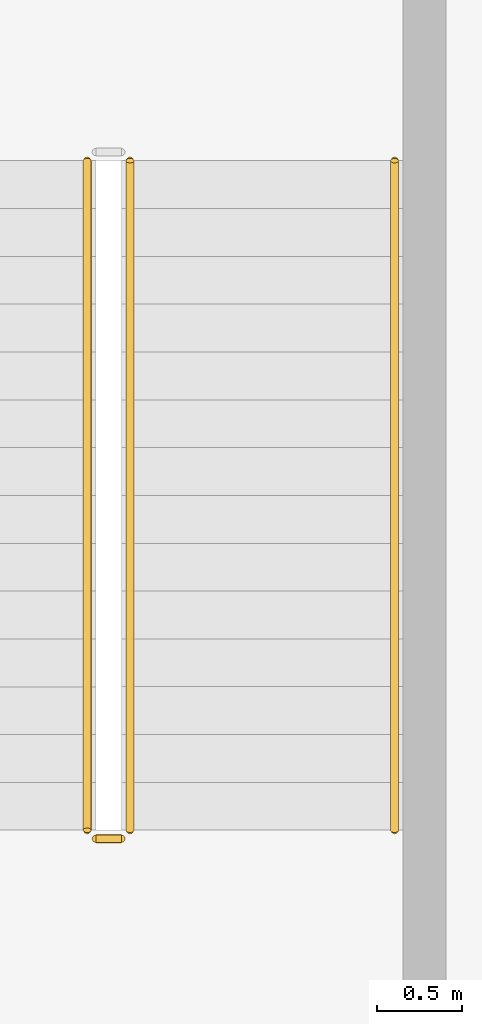
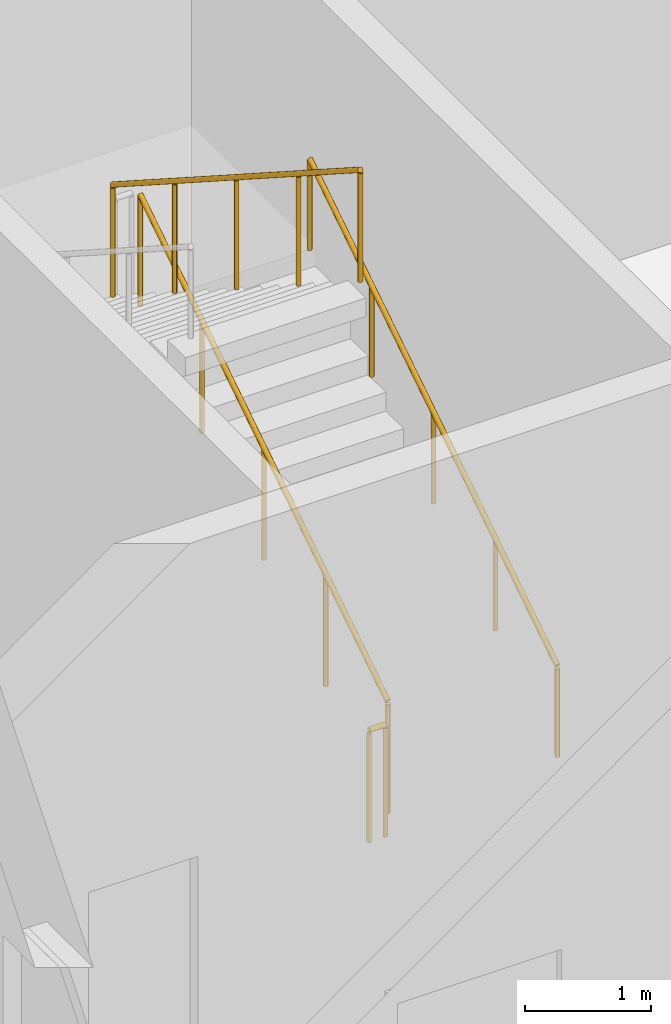
# One storey, part 11 of 18: 4 railings.
"""IFC4 building model written with IfcOpenShell, lengths in metres."""

from ifc_helpers import new_model, si_unit, direction, frame, origin, origin_2d, place, context, subcontext, project, spatial, circle, extrude, material, type_object, element, save


model = new_model("IFC4")

# Units and contexts
model_context = context("Model", 3, precision=1e-05, world=origin(), true_north=direction((0.0, 1.0)))
body_context = subcontext(model_context, "Body", "Model", "MODEL_VIEW")
ifc_project = project(units=[si_unit("LENGTHUNIT", "METRE"), si_unit("AREAUNIT", "SQUARE_METRE"), si_unit("VOLUMEUNIT", "CUBIC_METRE"), si_unit("PLANEANGLEUNIT", "RADIAN"), si_unit("MASSUNIT", "GRAM", prefix="KILO")], contexts=[model_context])

# Site, building, storey
site_placement = place(None, origin())
site = spatial("IfcSite", under=ifc_project, at=site_placement, CompositionType="ELEMENT")
building_placement = place(site_placement, origin())
building = spatial("IfcBuilding", under=site, at=building_placement, Name="Poui Terraces", CompositionType="ELEMENT")
storey_placement = place(building_placement, frame((0.0, 0.0, 267.0)))
storey = spatial("IfcBuildingStorey", under=building, at=storey_placement, Name="L74", CompositionType="ELEMENT", Elevation=267.0)

# Railings
ifc_material_1 = material(Name="Galvanised steel balustrade", Category="steel")
railing_type_1 = type_object("IfcRailingType", Name="STAIR GUARD 1100", PredefinedType="GUARDRAIL", material=ifc_material_1)
railing_1_placement = place(storey_placement, frame((22.875, 16.60009765625, 0.179931640625)))
element("IfcRailing", 1, at=railing_1_placement, inside=storey, type_object=railing_type_1, Name="L74 ST-W stair guard 1", PredefinedType="GUARDRAIL", context=body_context, shape_type="SweptSolid", body=[
    extrude(circle(Radius=0.02392578125, at=origin_2d()), frame((0.0, 0.0, 1.076171875), z_axis=(0.0, 0.841171666519, 0.540768182723), x_axis=(-1.0, 0.0, 0.0)), (0.0, 0.0, 1.0), 4.66015625),
    extrude(circle(Radius=0.02099609375, at=origin_2d()), origin(), (0.0, 0.0, 1.0), 1.052001953125),
    extrude(circle(Radius=0.02099609375, at=origin_2d()), frame((0.0, 0.97998046875, 0.6298828125)), (0.0, 0.0, 1.0), 1.052001953125),
    extrude(circle(Radius=0.02099609375, at=origin_2d()), frame((0.0, 1.9599609375, 1.260009765625)), (0.0, 0.0, 1.0), 1.052001953125),
    extrude(circle(Radius=0.02099609375, at=origin_2d()), frame((0.0, 2.93994140625, 1.89013671875)), (0.0, 0.0, 1.0), 1.052001953125),
    extrude(circle(Radius=0.02099609375, at=origin_2d()), frame((0.0, 3.919921875, 2.52001953125)), (0.0, 0.0, 1.0), 1.052001953125),
])
railing_2_placement = place(storey_placement, frame((22.625, 20.52001953125, 2.8798828125)))
element("IfcRailing", 2, at=railing_2_placement, inside=storey, type_object=railing_type_1, Name="L74 ST-W stair guard 3", PredefinedType="GUARDRAIL", context=body_context, shape_type="SweptSolid", body=[
    extrude(circle(Radius=0.02392578125, at=origin_2d()), frame((0.0, 0.0, 1.076171875), z_axis=(0.0, -0.841171666519, 0.540768182723), x_axis=(1.0, 0.0, 0.0)), (0.0, 0.0, 1.0), 4.66015625),
    extrude(circle(Radius=0.02099609375, at=origin_2d()), origin(), (0.0, 0.0, 1.0), 1.052001953125),
    extrude(circle(Radius=0.02099609375, at=origin_2d()), frame((0.0, -0.97998046875, 0.6298828125)), (0.0, 0.0, 1.0), 1.052001953125),
    extrude(circle(Radius=0.02099609375, at=origin_2d()), frame((0.0, -1.9599609375, 1.260009765625)), (0.0, 0.0, 1.0), 1.052001953125),
    extrude(circle(Radius=0.02099609375, at=origin_2d()), frame((0.0, -2.93994140625, 1.89013671875)), (0.0, 0.0, 1.0), 1.052001953125),
    extrude(circle(Radius=0.02099609375, at=origin_2d()), frame((0.0, -3.919921875, 2.52001953125)), (0.0, 0.0, 1.0), 1.052001953125),
])
railing_3_placement = place(storey_placement, frame((22.824951171875, 16.550048828125, 0.0)))
element("IfcRailing", 3, at=railing_3_placement, inside=storey, type_object=railing_type_1, Name="L74 ST-W stair guard 4", PredefinedType="GUARDRAIL", context=body_context, shape_type="SweptSolid", body=[
    extrude(circle(Radius=0.02392578125, at=origin_2d()), frame((0.0, 0.0, 1.076171875), z_axis=(-1.0, 0.0, 0.0), x_axis=(0.0, -1.0, 0.0)), (0.0, 0.0, 1.0), 0.14990234375),
    extrude(circle(Radius=0.02099609375, at=origin_2d()), origin(), (0.0, 0.0, 1.0), 1.052001953125),
    extrude(circle(Radius=0.02099609375, at=origin_2d()), frame((-0.14990234375, 0.0, 0.0)), (0.0, 0.0, 1.0), 1.052001953125),
])
ifc_material_2 = material(Name="Stainless steel handrail", Category="steel")
railing_type_2 = type_object("IfcRailingType", Name="STAIR HANDRAIL 900", PredefinedType="HANDRAIL", material=ifc_material_2)
railing_4_placement = place(storey_placement, frame((24.425048828125, 16.60009765625, 0.179931640625)))
element("IfcRailing", 4, at=railing_4_placement, inside=storey, type_object=railing_type_2, Name="L74 ST-W stair handrail 1", PredefinedType="HANDRAIL", context=body_context, shape_type="SweptSolid", body=[
    extrude(circle(Radius=0.02392578125, at=origin_2d()), frame((0.0, 0.0, 0.8759765625), z_axis=(0.0, 0.841171666519, 0.540768182723), x_axis=(-1.0, 0.0, 0.0)), (0.0, 0.0, 1.0), 4.66015625),
    extrude(circle(Radius=0.02099609375, at=origin_2d()), origin(), (0.0, 0.0, 1.0), 0.851806640625),
    extrude(circle(Radius=0.02099609375, at=origin_2d()), frame((0.0, 0.97998046875, 0.6298828125)), (0.0, 0.0, 1.0), 0.851806640625),
    extrude(circle(Radius=0.02099609375, at=origin_2d()), frame((0.0, 1.9599609375, 1.260009765625)), (0.0, 0.0, 1.0), 0.851806640625),
    extrude(circle(Radius=0.02099609375, at=origin_2d()), frame((0.0, 2.93994140625, 1.89013671875)), (0.0, 0.0, 1.0), 0.851806640625),
    extrude(circle(Radius=0.02099609375, at=origin_2d()), frame((0.0, 3.919921875, 2.52001953125)), (0.0, 0.0, 1.0), 0.851806640625),
])

save(model, "model.ifc")
